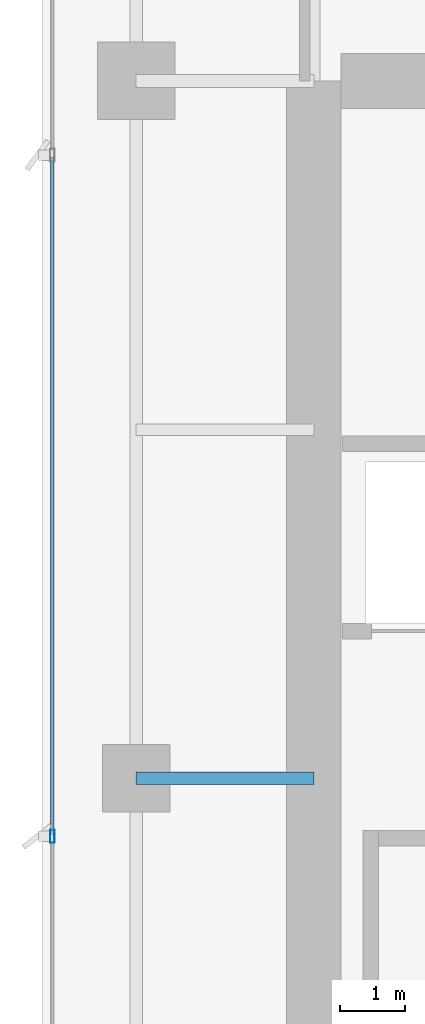
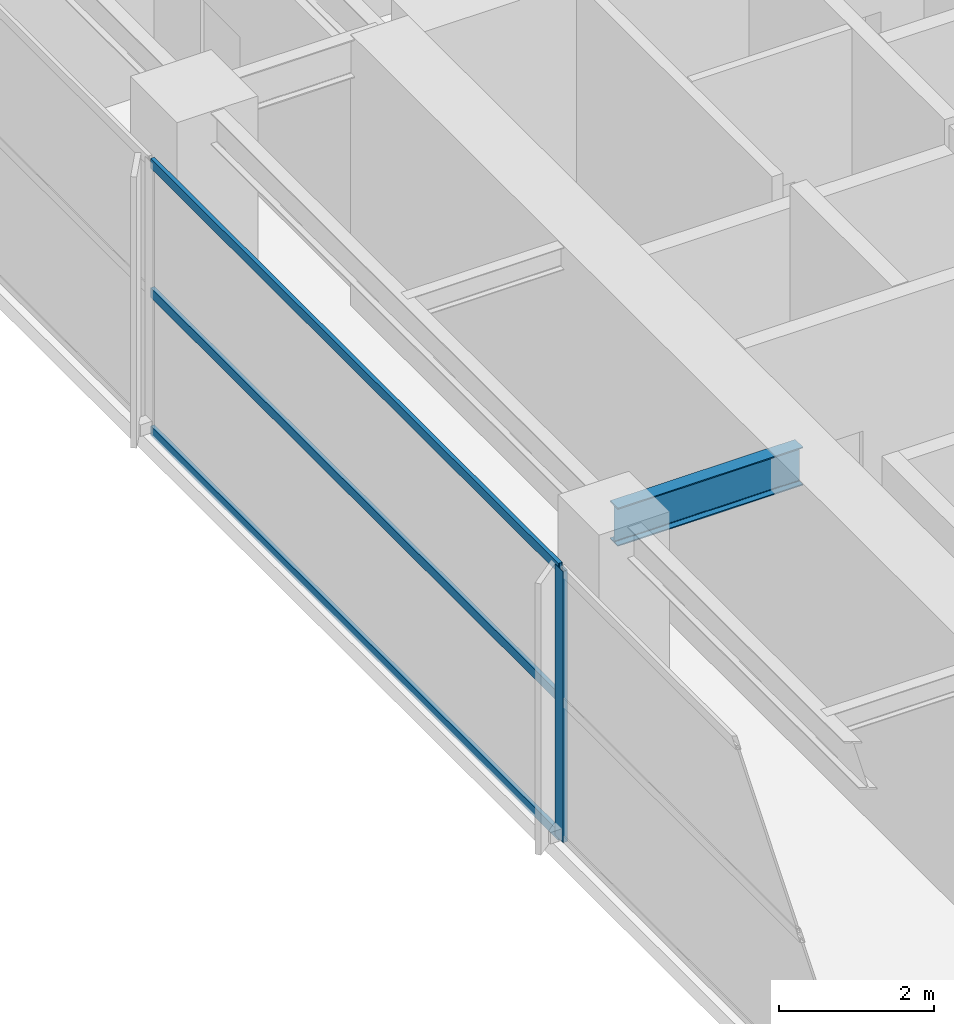
# One storey, part 7 of 26: 4 members, 1 beam, 1 element without a shape of its own.
"""IFC4 building model written with IfcOpenShell, lengths in metres."""

from ifc_helpers import new_model, si_unit, direction, frame, origin, origin_2d, place, context, subcontext, project, spatial, hollow_rectangle, i_section, extrude, material, layer, layer_set, material_profile, profile_set, type_object, element, aggregate, save


model = new_model("IFC4")

# Units and contexts
model_context = context("Model", 3, precision=1e-05, world=origin(), true_north=direction((0.0, 1.0)))
body_context = subcontext(model_context, "Body", "Model", "MODEL_VIEW")
ifc_project = project(units=[si_unit("LENGTHUNIT", "METRE"), si_unit("AREAUNIT", "SQUARE_METRE"), si_unit("VOLUMEUNIT", "CUBIC_METRE"), si_unit("PLANEANGLEUNIT", "RADIAN"), si_unit("MASSUNIT", "GRAM", prefix="KILO")], contexts=[model_context])

# Site, building, storey
site_placement = place(None, origin())
site = spatial("IfcSite", under=ifc_project, at=site_placement, CompositionType="ELEMENT")
building_placement = place(site_placement, origin())
building = spatial("IfcBuilding", under=site, at=building_placement, Name="Calvorn Quay Hotel", CompositionType="ELEMENT")
storey_placement = place(building_placement, frame((0.0, 0.0, 144.0)))
storey = spatial("IfcBuildingStorey", under=building, at=storey_placement, Name="L35", CompositionType="ELEMENT", Elevation=144.0)

# Beam
ifc_material_1 = material(Name="Steel Q355B", Category="steel")
ifc_material_profile_1 = material_profile(ifc_material_1, i_section(OverallWidth=0.199951171875, OverallDepth=0.60009765625, WebThickness=0.010986328125, FlangeThickness=0.01708984375, FilletRadius=0.01806640625, at=origin_2d()), Name="HN600x200x11x17")
ifc_profile_set_1 = profile_set([ifc_material_profile_1], Name="Steel Q355B")
beam_type = type_object("IfcBeamType", Name="BM-GIRD-TYP", PredefinedType="BEAM", material=ifc_profile_set_1)
beam_placement = place(storey_placement, frame((1.449951171875, 27.60009765625, 3.93994140625), z_axis=(1.0, 0.0, 0.0), x_axis=(0.0, 1.0, 0.0)))
element("IfcBeam", 1, at=beam_placement, inside=storey, type_object=beam_type, Name="Beam BG-L35-W2", PredefinedType="BEAM", context=body_context, shape_type="SweptSolid", body=[
    extrude(i_section(OverallWidth=0.199951171875, OverallDepth=0.60009765625, WebThickness=0.010986328125, FlangeThickness=0.01708984375, FilletRadius=0.01806640625, at=origin_2d()), origin(), (0.0, 0.0, 1.0), 2.75),
])

# Curtain wall, members
ifc_material_2 = material(Name="Pale Anodised Aluminium and Low-E Glass", Category="aluminium")
ifc_layer = layer(ifc_material_2, 0.219970703125)
ifc_layer_set = layer_set([ifc_layer], Name="CW-SYS-Z2")
curtain_wall_type = type_object("IfcCurtainWallType", Name="CW-SYS-Z2", PredefinedType="NOTDEFINED", material=ifc_layer_set)
curtain_wall_placement = place(storey_placement, origin())
curtain_wall = element("IfcCurtainWall", 2, at=curtain_wall_placement, inside=storey, type_object=curtain_wall_type, Name="Tower West Curtain Wall (L35)", PredefinedType="NOTDEFINED")
ifc_material_3 = material(Name="Pale Anodised Aluminium 6063-T6", Category="aluminium")
ifc_material_profile_2 = material_profile(ifc_material_3, hollow_rectangle(XDim=0.070068359375, YDim=0.199951171875, WallThickness=0.00390625, at=origin_2d()), Name="ALU-M200x70x4")
ifc_profile_set_2 = profile_set([ifc_material_profile_2], Name="Pale Anodised Aluminium 6063-T6")
member_type_1 = type_object("IfcMemberType", Name="CW-SYS-Z2-MUL", PredefinedType="MULLION", material=ifc_profile_set_2)
member_1_placement = place(storey_placement, frame((0.14990234375, 26.699951171875, 0.0), z_axis=(0.0, 0.0, 1.0), x_axis=(-1.0, 0.0, 0.0)))
member_1 = element("IfcMember", 3, at=member_1_placement, type_object=member_type_1, Name="CW-L35-W mullion 3", PredefinedType="MULLION", context=body_context, shape_type="SweptSolid", body=[
    extrude(hollow_rectangle(XDim=0.070068359375, YDim=0.199951171875, WallThickness=0.00390625, at=origin_2d()), origin(), (0.0, 0.0, 1.0), 4.260009765625),
])
ifc_material_4 = material(Name="Pale Anodised Aluminium 6063-T6", Category="aluminium")
ifc_material_profile_3 = material_profile(ifc_material_4, hollow_rectangle(XDim=0.06005859375, YDim=0.14990234375, WallThickness=0.00341796875, at=origin_2d()), Name="ALU-T150x60x3.5")
ifc_profile_set_3 = profile_set([ifc_material_profile_3], Name="Pale Anodised Aluminium 6063-T6")
member_type_2 = type_object("IfcMemberType", Name="CW-SYS-Z2-TRN", PredefinedType="USERDEFINED", material=ifc_profile_set_3)
member_2_placement = place(storey_placement, frame((0.14990234375, 26.72998046875, 0.030029296875), z_axis=(0.0, 1.0, 0.0), x_axis=(-1.0, 0.0, 0.0)))
member_2 = element("IfcMember", 4, at=member_2_placement, type_object=member_type_2, Name="CW-L35-W transom 3.1", ObjectType="TRANSOM", PredefinedType="USERDEFINED", context=body_context, shape_type="SweptSolid", body=[
    extrude(hollow_rectangle(XDim=0.06005859375, YDim=0.14990234375, WallThickness=0.00341796875, at=origin_2d()), origin(), (0.0, 0.0, 1.0), 10.489990234375),
])
member_3_placement = place(storey_placement, frame((0.14990234375, 26.72998046875, 2.199951171875), z_axis=(0.0, 1.0, 0.0), x_axis=(-1.0, 0.0, 0.0)))
member_3 = element("IfcMember", 5, at=member_3_placement, type_object=member_type_2, Name="CW-L35-W transom 3.2", ObjectType="TRANSOM", PredefinedType="USERDEFINED", context=body_context, shape_type="SweptSolid", body=[
    extrude(hollow_rectangle(XDim=0.06005859375, YDim=0.14990234375, WallThickness=0.00341796875, at=origin_2d()), origin(), (0.0, 0.0, 1.0), 10.489990234375),
])
member_4_placement = place(storey_placement, frame((0.14990234375, 26.72998046875, 4.22998046875), z_axis=(0.0, 1.0, 0.0), x_axis=(-1.0, 0.0, 0.0)))
member_4 = element("IfcMember", 6, at=member_4_placement, type_object=member_type_2, Name="CW-L35-W transom 3.3", ObjectType="TRANSOM", PredefinedType="USERDEFINED", context=body_context, shape_type="SweptSolid", body=[
    extrude(hollow_rectangle(XDim=0.06005859375, YDim=0.14990234375, WallThickness=0.00341796875, at=origin_2d()), origin(), (0.0, 0.0, 1.0), 10.489990234375),
])
aggregate(curtain_wall, [member_1, member_2, member_3, member_4])

save(model, "model.ifc")
